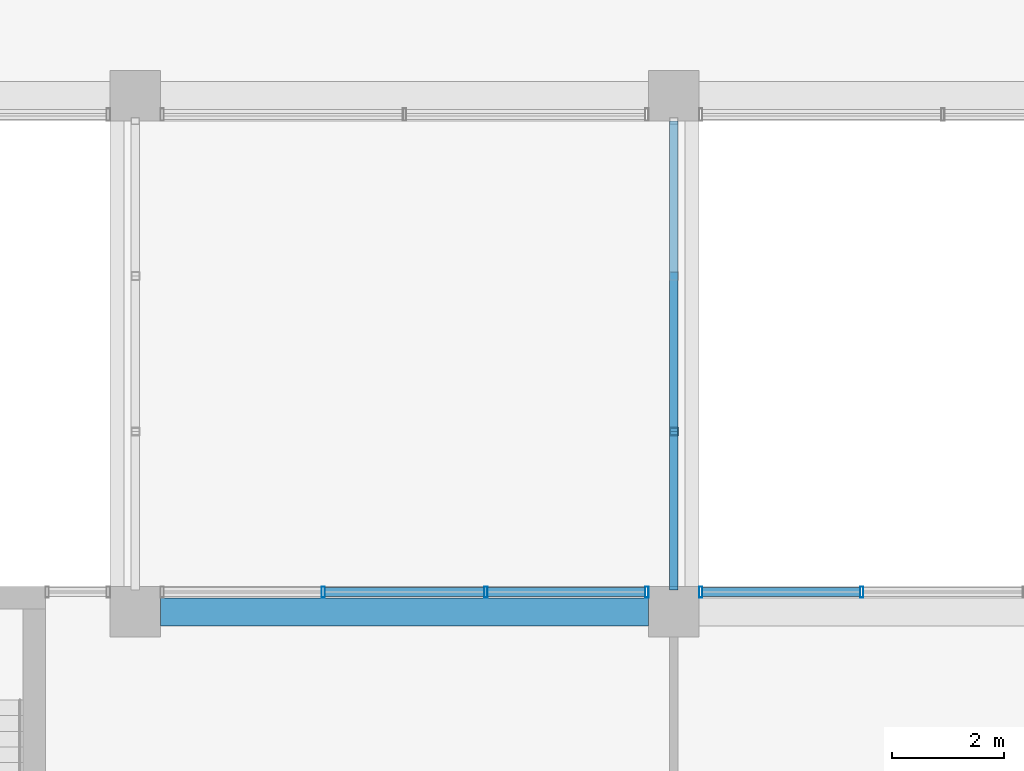
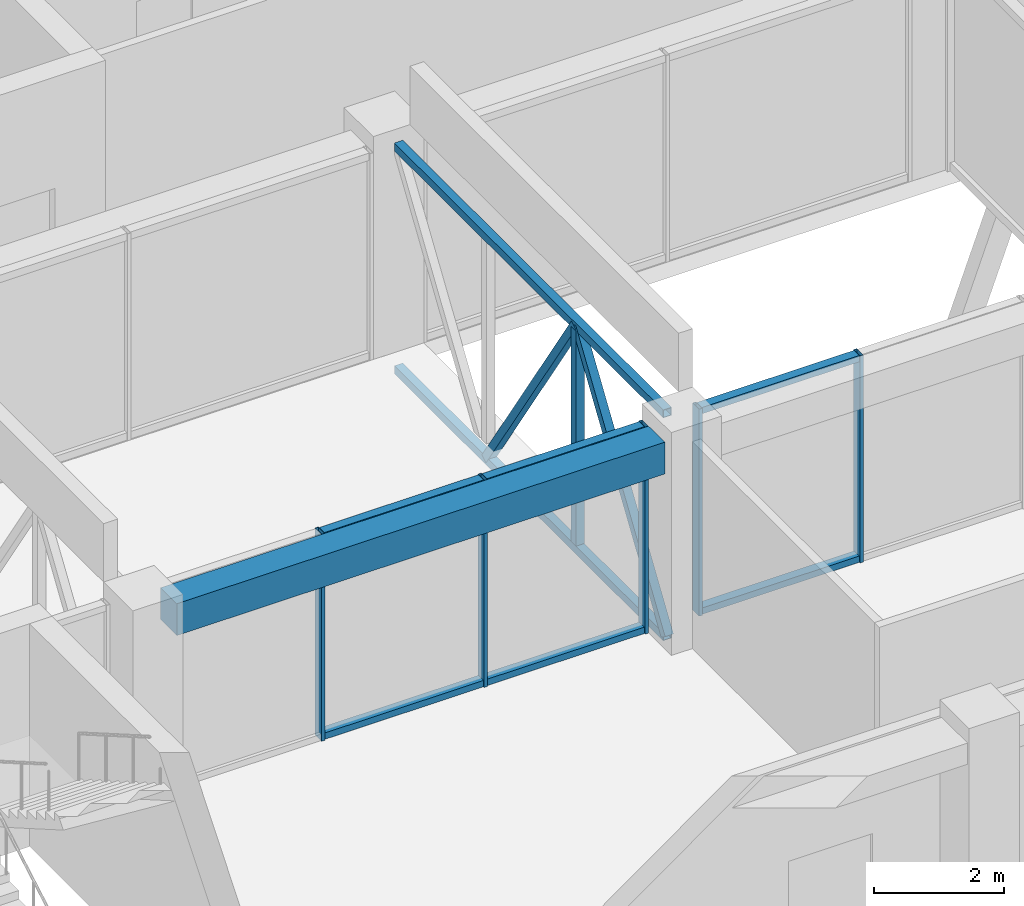
# One storey, part 17 of 38: 16 members, 1 beam, 2 elements without a shape of their own.
"""IFC4 building model written with IfcOpenShell, lengths in metres."""

from ifc_helpers import new_model, si_unit, direction, frame, origin, origin_2d, place, context, subcontext, project, spatial, rectangle, hollow_rectangle, extrude, material, layer, layer_set, material_profile, profile_set, type_object, element, aggregate, save


model = new_model("IFC4")

# Units and contexts
model_context = context("Model", 3, precision=1e-05, world=origin(), true_north=direction((0.0, 1.0)))
body_context = subcontext(model_context, "Body", "Model", "MODEL_VIEW")
ifc_project = project(units=[si_unit("LENGTHUNIT", "METRE"), si_unit("AREAUNIT", "SQUARE_METRE"), si_unit("VOLUMEUNIT", "CUBIC_METRE"), si_unit("PLANEANGLEUNIT", "RADIAN"), si_unit("MASSUNIT", "GRAM", prefix="KILO")], contexts=[model_context])

# Site, building, storey
site_placement = place(None, origin())
site = spatial("IfcSite", under=ifc_project, at=site_placement, CompositionType="ELEMENT")
building_placement = place(site_placement, origin())
building = spatial("IfcBuilding", under=site, at=building_placement, Name="Nzadi Deep Aquarium and Research Tower", CompositionType="ELEMENT")
storey_placement = place(building_placement, frame((0.0, 0.0, 48.699951171875)))
storey = spatial("IfcBuildingStorey", under=building, at=storey_placement, Name="L09", CompositionType="ELEMENT", Elevation=48.699951171875)

# Curtain wall, members
ifc_material_1 = material(Name="Aluminium unitised frame", Category="aluminium")
ifc_layer = layer(ifc_material_1, 0.199951171875)
ifc_layer_set = layer_set([ifc_layer], Name="Aluminium unitised frame")
curtain_wall_type = type_object("IfcCurtainWallType", Name="Curtain wall Unitised 200", PredefinedType="NOTDEFINED", material=ifc_layer_set)
curtain_wall_1_placement = place(storey_placement, origin())
curtain_wall_1 = element("IfcCurtainWall", 1, at=curtain_wall_1_placement, inside=storey, type_object=curtain_wall_type, Name="Unitised curtain wall blade A north L09", PredefinedType="NOTDEFINED")
ifc_material_2 = material(Name="Aluminium unitised frame", Category="aluminium")
ifc_material_profile_1 = material_profile(ifc_material_2, hollow_rectangle(XDim=0.199951171875, YDim=0.06005859375, WallThickness=0.0048828125, at=origin_2d()))
ifc_profile_set_1 = profile_set([ifc_material_profile_1], Name="Aluminium unitised frame")
member_type_1 = type_object("IfcMemberType", Name="Mullion 60x200 Unitised", PredefinedType="MULLION", material=ifc_profile_set_1)
member_1_placement = place(storey_placement, frame((32.14990234375, 18.75, 0.0), z_axis=(0.0, 0.0, 1.0), x_axis=(0.0, 1.0, 0.0)))
member_1 = element("IfcMember", 2, at=member_1_placement, type_object=member_type_1, Name="CW034 mullion 2", PredefinedType="MULLION", context=body_context, shape_type="SweptSolid", body=[
    extrude(hollow_rectangle(XDim=0.199951171875, YDim=0.06005859375, WallThickness=0.0048828125, at=origin_2d()), origin(), (0.0, 0.0, 1.0), 3.900146484375),
])
member_2_placement = place(storey_placement, frame((35.050048828125, 18.75, 0.0), z_axis=(0.0, 0.0, 1.0), x_axis=(0.0, 1.0, 0.0)))
member_2 = element("IfcMember", 3, at=member_2_placement, type_object=member_type_1, Name="CW034 mullion 3", PredefinedType="MULLION", context=body_context, shape_type="SweptSolid", body=[
    extrude(hollow_rectangle(XDim=0.199951171875, YDim=0.06005859375, WallThickness=0.0048828125, at=origin_2d()), origin(), (0.0, 0.0, 1.0), 3.900146484375),
])
member_3_placement = place(storey_placement, frame((37.919921875, 18.75, 0.0), z_axis=(0.0, 0.0, 1.0), x_axis=(0.0, 1.0, 0.0)))
member_3 = element("IfcMember", 4, at=member_3_placement, type_object=member_type_1, Name="CW034 mullion 4", PredefinedType="MULLION", context=body_context, shape_type="SweptSolid", body=[
    extrude(hollow_rectangle(XDim=0.199951171875, YDim=0.06005859375, WallThickness=0.0048828125, at=origin_2d()), origin(), (0.0, 0.0, 1.0), 3.900146484375),
])

curtain_wall_2_placement = place(storey_placement, origin())
curtain_wall_2 = element("IfcCurtainWall", 5, at=curtain_wall_2_placement, inside=storey, type_object=curtain_wall_type, Name="Unitised curtain wall blade A north L09", PredefinedType="NOTDEFINED")
member_4_placement = place(storey_placement, frame((38.8798828125, 18.75, 0.0), z_axis=(0.0, 0.0, 1.0), x_axis=(0.0, 1.0, 0.0)))
member_4 = element("IfcMember", 6, at=member_4_placement, type_object=member_type_1, Name="CW035 mullion 1", PredefinedType="MULLION", context=body_context, shape_type="SweptSolid", body=[
    extrude(hollow_rectangle(XDim=0.199951171875, YDim=0.06005859375, WallThickness=0.0048828125, at=origin_2d()), origin(), (0.0, 0.0, 1.0), 3.900146484375),
])
member_5_placement = place(storey_placement, frame((41.75, 18.75, 0.0), z_axis=(0.0, 0.0, 1.0), x_axis=(0.0, 1.0, 0.0)))
member_5 = element("IfcMember", 7, at=member_5_placement, type_object=member_type_1, Name="CW035 mullion 2", PredefinedType="MULLION", context=body_context, shape_type="SweptSolid", body=[
    extrude(hollow_rectangle(XDim=0.199951171875, YDim=0.06005859375, WallThickness=0.0048828125, at=origin_2d()), origin(), (0.0, 0.0, 1.0), 3.900146484375),
])

# Beam
ifc_material_3 = material(Name="Concrete C35/45", Category="concrete")
ifc_material_profile_2 = material_profile(ifc_material_3, rectangle(XDim=0.5, YDim=0.60009765625, at=origin_2d()))
ifc_profile_set_2 = profile_set([ifc_material_profile_2], Name="Concrete C35/45")
beam_type = type_object("IfcBeamType", Name="RC 500x600", PredefinedType="BEAM", material=ifc_profile_set_2)
beam_placement = place(storey_placement, frame((29.25, 18.39990234375, 3.60009765625), z_axis=(1.0, 0.0, 0.0), x_axis=(0.0, 1.0, 0.0)))
element("IfcBeam", 8, at=beam_placement, inside=storey, type_object=beam_type, Name="B-Z1-L09-L3-4", PredefinedType="BEAM", context=body_context, shape_type="SweptSolid", body=[
    extrude(rectangle(XDim=0.5, YDim=0.60009765625, at=origin_2d()), origin(), (0.0, 0.0, 1.0), 8.699951171875),
])

# Members
ifc_material_4 = material(Name="Steel S355", Category="steel")
ifc_material_profile_3 = material_profile(ifc_material_4, hollow_rectangle(XDim=0.14990234375, YDim=0.14990234375, WallThickness=0.010009765625, at=origin_2d()))
ifc_profile_set_3 = profile_set([ifc_material_profile_3], Name="Steel S355")
member_type_2 = type_object("IfcMemberType", Name="RHS 150x150x10 brace", PredefinedType="BRACE", material=ifc_profile_set_3)
for number, where, z_axis, x_axis, name in (
    (9, (38.39990234375, 18.85009765625, -0.324951171875), (0.0, 0.550098751185, 0.835099613187), (-1.0, 0.0, 0.0), "MB-BR-L09-T2-D1"),
    (10, (38.39990234375, 21.61669921875, 3.875), (0.0, 0.550098751185, -0.835099613187), (-1.0, 0.0, 0.0), "MB-BR-L09-T2-D2"),
):
    element("IfcMember", number, at=place(storey_placement, frame(where, z_axis=z_axis, x_axis=x_axis)), inside=storey, type_object=member_type_2, Name=name, PredefinedType="BRACE", context=body_context, shape_type="SweptSolid", body=[
        extrude(hollow_rectangle(XDim=0.14990234375, YDim=0.14990234375, WallThickness=0.010009765625, at=origin_2d()), origin(), (0.0, 0.0, 1.0), 5.029296875),
    ])
ifc_material_5 = material(Name="Steel S355", Category="steel")
ifc_material_profile_4 = material_profile(ifc_material_5, hollow_rectangle(XDim=0.14990234375, YDim=0.14990234375, WallThickness=0.008056640625, at=origin_2d()))
ifc_profile_set_4 = profile_set([ifc_material_profile_4], Name="Steel S355")
member_type_3 = type_object("IfcMemberType", Name="RHS 150x150x8 chord", PredefinedType="CHORD", material=ifc_profile_set_4)
for number, where, z_axis, x_axis, name in (
    (11, (38.39990234375, 18.85009765625, -0.324951171875), (0.0, 1.0, 0.0), (-1.0, 0.0, 0.0), "MB-BR-L09-T2-BOT"),
    (12, (38.39990234375, 18.85009765625, 3.875), (0.0, 1.0, 0.0), (-1.0, 0.0, 0.0), "MB-BR-L09-T2-TOP"),
):
    element("IfcMember", number, at=place(storey_placement, frame(where, z_axis=z_axis, x_axis=x_axis)), inside=storey, type_object=member_type_3, Name=name, PredefinedType="CHORD", context=body_context, shape_type="SweptSolid", body=[
        extrude(hollow_rectangle(XDim=0.14990234375, YDim=0.14990234375, WallThickness=0.008056640625, at=origin_2d()), origin(), (0.0, 0.0, 1.0), 8.2998046875),
    ])
ifc_material_6 = material(Name="Steel S355", Category="steel")
ifc_material_profile_5 = material_profile(ifc_material_6, hollow_rectangle(XDim=0.14990234375, YDim=0.14990234375, WallThickness=0.008056640625, at=origin_2d()))
ifc_profile_set_5 = profile_set([ifc_material_profile_5], Name="Steel S355")
member_type_4 = type_object("IfcMemberType", Name="RHS 150x150x8 post", PredefinedType="POST", material=ifc_profile_set_5)
member_6_placement = place(storey_placement, frame((38.39990234375, 21.61669921875, -0.25), z_axis=(0.0, 0.0, 1.0), x_axis=(1.0, 0.0, 0.0)))
element("IfcMember", 13, at=member_6_placement, inside=storey, type_object=member_type_4, Name="MB-BR-L09-T2-V1", PredefinedType="POST", context=body_context, shape_type="SweptSolid", body=[
    extrude(hollow_rectangle(XDim=0.14990234375, YDim=0.14990234375, WallThickness=0.008056640625, at=origin_2d()), origin(), (0.0, 0.0, 1.0), 4.050048828125),
])

# Member
ifc_material_7 = material(Name="Aluminium unitised frame", Category="aluminium")
ifc_material_profile_6 = material_profile(ifc_material_7, hollow_rectangle(XDim=0.159912109375, YDim=0.1201171875, WallThickness=0.0048828125, at=origin_2d()))
ifc_profile_set_6 = profile_set([ifc_material_profile_6], Name="Aluminium unitised frame")
member_type_5 = type_object("IfcMemberType", Name="Transom 120x160 Unitised", PredefinedType="MULLION", material=ifc_profile_set_6)
member_7_placement = place(storey_placement, frame((32.179931640625, 18.75, 0.06005859375), z_axis=(1.0, 0.0, 0.0), x_axis=(0.0, 1.0, 0.0)))
member_7 = element("IfcMember", 14, at=member_7_placement, type_object=member_type_5, Name="CW034 transom 2.1", PredefinedType="MULLION", context=body_context, shape_type="SweptSolid", body=[
    extrude(hollow_rectangle(XDim=0.159912109375, YDim=0.1201171875, WallThickness=0.0048828125, at=origin_2d()), origin(), (0.0, 0.0, 1.0), 2.840087890625),
])

member_8_placement = place(storey_placement, frame((32.179931640625, 18.75, 3.840087890625), z_axis=(1.0, 0.0, 0.0), x_axis=(0.0, 1.0, 0.0)))
member_8 = element("IfcMember", 15, at=member_8_placement, type_object=member_type_5, Name="CW034 transom 2.2", PredefinedType="MULLION", context=body_context, shape_type="SweptSolid", body=[
    extrude(hollow_rectangle(XDim=0.159912109375, YDim=0.1201171875, WallThickness=0.0048828125, at=origin_2d()), origin(), (0.0, 0.0, 1.0), 2.840087890625),
])

member_9_placement = place(storey_placement, frame((35.080078125, 18.75, 0.06005859375), z_axis=(1.0, 0.0, 0.0), x_axis=(0.0, 1.0, 0.0)))
member_9 = element("IfcMember", 16, at=member_9_placement, type_object=member_type_5, Name="CW034 transom 3.1", PredefinedType="MULLION", context=body_context, shape_type="SweptSolid", body=[
    extrude(hollow_rectangle(XDim=0.159912109375, YDim=0.1201171875, WallThickness=0.0048828125, at=origin_2d()), origin(), (0.0, 0.0, 1.0), 2.809814453125),
])

member_10_placement = place(storey_placement, frame((35.080078125, 18.75, 3.840087890625), z_axis=(1.0, 0.0, 0.0), x_axis=(0.0, 1.0, 0.0)))
member_10 = element("IfcMember", 17, at=member_10_placement, type_object=member_type_5, Name="CW034 transom 3.2", PredefinedType="MULLION", context=body_context, shape_type="SweptSolid", body=[
    extrude(hollow_rectangle(XDim=0.159912109375, YDim=0.1201171875, WallThickness=0.0048828125, at=origin_2d()), origin(), (0.0, 0.0, 1.0), 2.809814453125),
])

aggregate(curtain_wall_1, [member_1, member_2, member_3, member_7, member_8, member_9, member_10])

member_11_placement = place(storey_placement, frame((38.909912109375, 18.75, 0.06005859375), z_axis=(1.0, 0.0, 0.0), x_axis=(0.0, 1.0, 0.0)))
member_11 = element("IfcMember", 18, at=member_11_placement, type_object=member_type_5, Name="CW035 transom 1.1", PredefinedType="MULLION", context=body_context, shape_type="SweptSolid", body=[
    extrude(hollow_rectangle(XDim=0.159912109375, YDim=0.1201171875, WallThickness=0.0048828125, at=origin_2d()), origin(), (0.0, 0.0, 1.0), 2.81005859375),
])

member_12_placement = place(storey_placement, frame((38.909912109375, 18.75, 3.840087890625), z_axis=(1.0, 0.0, 0.0), x_axis=(0.0, 1.0, 0.0)))
member_12 = element("IfcMember", 19, at=member_12_placement, type_object=member_type_5, Name="CW035 transom 1.2", PredefinedType="MULLION", context=body_context, shape_type="SweptSolid", body=[
    extrude(hollow_rectangle(XDim=0.159912109375, YDim=0.1201171875, WallThickness=0.0048828125, at=origin_2d()), origin(), (0.0, 0.0, 1.0), 2.81005859375),
])

aggregate(curtain_wall_2, [member_4, member_5, member_11, member_12])

save(model, "model.ifc")
